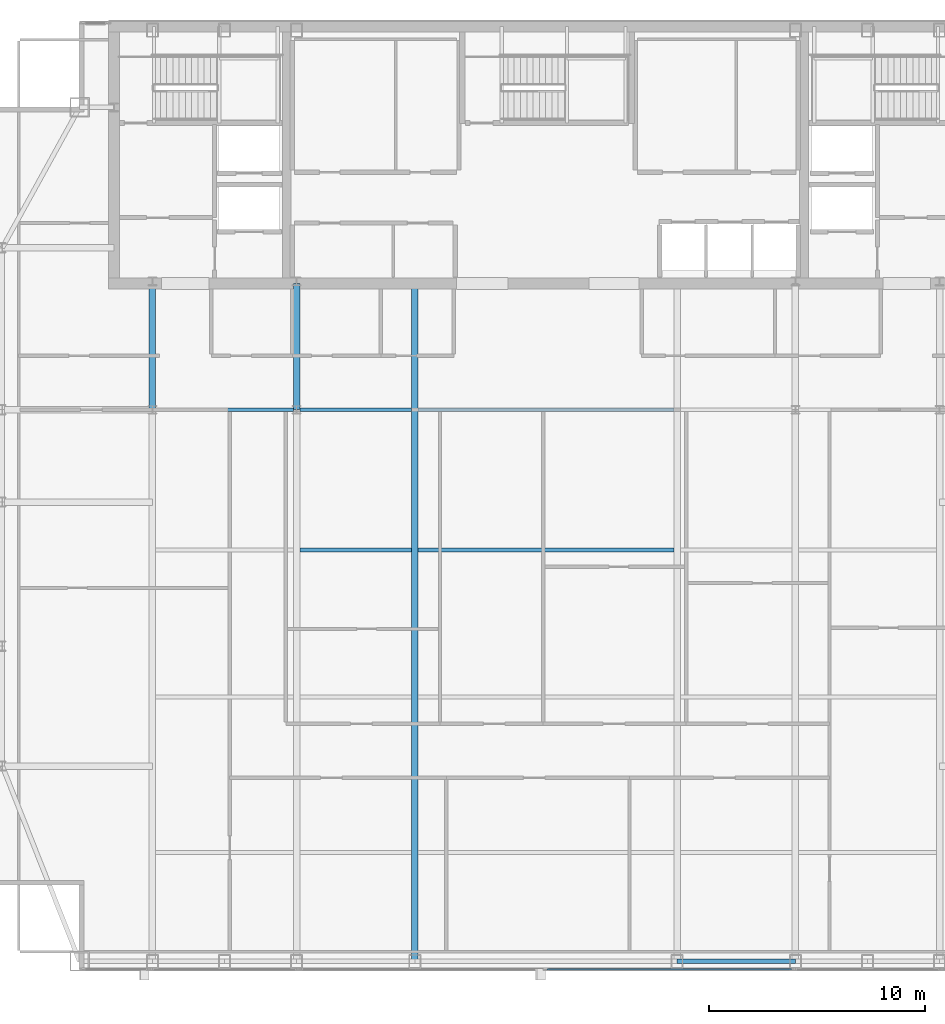
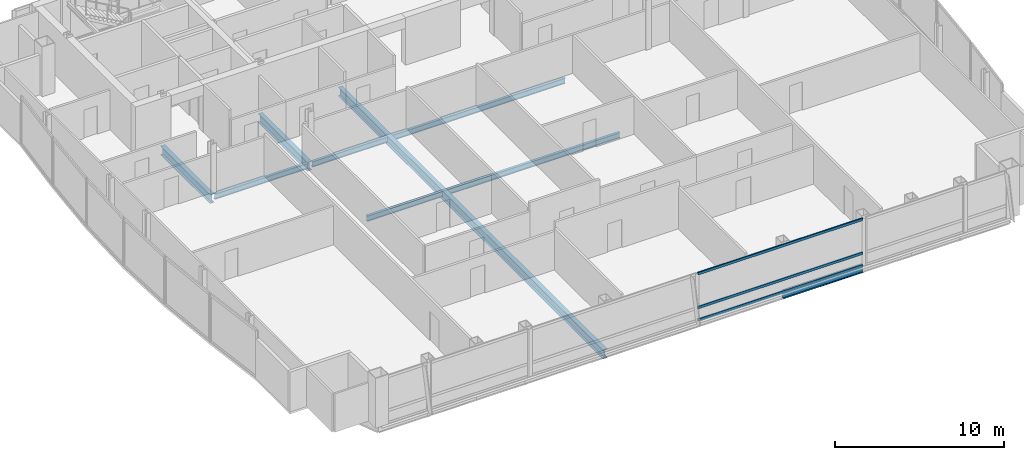
# One storey, part 10 of 25: 9 beams, 3 members, 1 element without a shape of its own.
"""IFC4 building model written with IfcOpenShell, lengths in metres."""

from ifc_helpers import new_model, si_unit, direction, frame, origin, origin_2d, place, context, subcontext, project, spatial, hollow_rectangle, i_section, extrude, material, material_profile, profile_set, type_object, element, aggregate, save


model = new_model("IFC4")

# Units and contexts
model_context = context("Model", 3, precision=1e-05, world=origin(), true_north=direction((0.0, 1.0)))
body_context = subcontext(model_context, "Body", "Model", "MODEL_VIEW")
ifc_project = project(units=[si_unit("LENGTHUNIT", "METRE"), si_unit("AREAUNIT", "SQUARE_METRE"), si_unit("VOLUMEUNIT", "CUBIC_METRE"), si_unit("PLANEANGLEUNIT", "RADIAN"), si_unit("MASSUNIT", "GRAM", prefix="KILO")], contexts=[model_context])

# Site, building, storey
site_placement = place(None, origin())
site = spatial("IfcSite", under=ifc_project, at=site_placement, CompositionType="ELEMENT")
building_placement = place(site_placement, origin())
building = spatial("IfcBuilding", under=site, at=building_placement, Name="Khoronbel Lancet Exchange", CompositionType="ELEMENT")
storey_placement = place(building_placement, frame((0.0, 0.0, 295.0)))
storey = spatial("IfcBuildingStorey", under=building, at=storey_placement, Name="L76", CompositionType="ELEMENT", Elevation=295.0)

# Beams
ifc_material_1 = material(Name="Steel S355", Category="steel")
ifc_material_profile_1 = material_profile(ifc_material_1, i_section(OverallWidth=0.300048828125, OverallDepth=0.64990234375, WebThickness=0.01611328125, FlangeThickness=0.031005859375, at=origin_2d()), Name="HEB 650")
ifc_profile_set_1 = profile_set([ifc_material_profile_1], Name="Steel S355")
beam_type_1 = type_object("IfcBeamType", Name="BM-BG4", PredefinedType="BEAM", material=ifc_profile_set_1)
for number, where, z_axis, x_axis, name in (
    (1, (18.22509765625, 35.699951171875, -0.485107421875), (0.0, 1.0, 0.0), (-1.0, 0.0, 0.0), "Level L76 spine tie girder GN1"),
    (2, (24.89990234375, 35.699951171875, -0.485107421875), (0.0, 1.0, 0.0), (-1.0, 0.0, 0.0), "Level L76 spine tie girder GN2"),
):
    element("IfcBeam", number, at=place(storey_placement, frame(where, z_axis=z_axis, x_axis=x_axis)), inside=storey, type_object=beam_type_1, Name=name, PredefinedType="BEAM", context=body_context, shape_type="SweptSolid", body=[
        extrude(i_section(OverallWidth=0.300048828125, OverallDepth=0.64990234375, WebThickness=0.01611328125, FlangeThickness=0.031005859375, at=origin_2d()), origin(), (0.0, 0.0, 1.0), 5.85009765625),
    ])
beam_1_placement = place(storey_placement, frame((30.375, 10.14990234375, -0.485107421875), z_axis=(0.0, 1.0, 0.0), x_axis=(-1.0, 0.0, 0.0)))
element("IfcBeam", 3, at=beam_1_placement, inside=storey, type_object=beam_type_1, Name="Level L76 primary floor girder G3", PredefinedType="BEAM", context=body_context, shape_type="SweptSolid", body=[
    extrude(i_section(OverallWidth=0.300048828125, OverallDepth=0.64990234375, WebThickness=0.01611328125, FlangeThickness=0.031005859375, at=origin_2d()), origin(), (0.0, 0.0, 1.0), 31.400146484375),
])
ifc_material_profile_2 = material_profile(ifc_material_1, i_section(OverallWidth=0.179931640625, OverallDepth=0.39990234375, WebThickness=0.008544921875, FlangeThickness=0.013427734375, at=origin_2d()), Name="IPE 400")
ifc_profile_set_2 = profile_set([ifc_material_profile_2], Name="Steel S355")
beam_type_2 = type_object("IfcBeamType", Name="BM-BJ5", PredefinedType="JOIST", material=ifc_profile_set_2)
beam_2_placement = place(storey_placement, frame((25.050048828125, 29.199951171875, -0.360107421875), z_axis=(1.0, 0.0, 0.0), x_axis=(0.0, 1.0, 0.0)))
element("IfcBeam", 4, at=beam_2_placement, inside=storey, type_object=beam_type_2, Name="Level L76 secondary composite joist J12", PredefinedType="JOIST", context=body_context, shape_type="SweptSolid", body=[
    extrude(i_section(OverallWidth=0.179931640625, OverallDepth=0.39990234375, WebThickness=0.008544921875, FlangeThickness=0.013427734375, at=origin_2d()), origin(), (0.0, 0.0, 1.0), 5.175048828125),
])
beam_3_placement = place(storey_placement, frame((30.52490234375, 29.199951171875, -0.360107421875), z_axis=(1.0, 0.0, 0.0), x_axis=(0.0, 1.0, 0.0)))
element("IfcBeam", 5, at=beam_3_placement, inside=storey, type_object=beam_type_2, Name="Level L76 secondary composite joist J13", PredefinedType="JOIST", context=body_context, shape_type="SweptSolid", body=[
    extrude(i_section(OverallWidth=0.179931640625, OverallDepth=0.39990234375, WebThickness=0.008544921875, FlangeThickness=0.013427734375, at=origin_2d()), origin(), (0.0, 0.0, 1.0), 11.85009765625),
])
beam_4_placement = place(storey_placement, frame((18.375, 35.699951171875, -0.360107421875), z_axis=(1.0, 0.0, 0.0), x_axis=(0.0, 1.0, 0.0)))
element("IfcBeam", 6, at=beam_4_placement, inside=storey, type_object=beam_type_2, Name="Level L76 secondary composite joist J16", PredefinedType="JOIST", context=body_context, shape_type="SweptSolid", body=[
    extrude(i_section(OverallWidth=0.179931640625, OverallDepth=0.39990234375, WebThickness=0.008544921875, FlangeThickness=0.013427734375, at=origin_2d()), origin(), (0.0, 0.0, 1.0), 6.375),
])
beam_5_placement = place(storey_placement, frame((25.050048828125, 35.699951171875, -0.360107421875), z_axis=(1.0, 0.0, 0.0), x_axis=(0.0, 1.0, 0.0)))
element("IfcBeam", 7, at=beam_5_placement, inside=storey, type_object=beam_type_2, Name="Level L76 secondary composite joist J17", PredefinedType="JOIST", context=body_context, shape_type="SweptSolid", body=[
    extrude(i_section(OverallWidth=0.179931640625, OverallDepth=0.39990234375, WebThickness=0.008544921875, FlangeThickness=0.013427734375, at=origin_2d()), origin(), (0.0, 0.0, 1.0), 5.175048828125),
])
beam_6_placement = place(storey_placement, frame((30.52490234375, 35.699951171875, -0.360107421875), z_axis=(1.0, 0.0, 0.0), x_axis=(0.0, 1.0, 0.0)))
element("IfcBeam", 8, at=beam_6_placement, inside=storey, type_object=beam_type_2, Name="Level L76 secondary composite joist J18", PredefinedType="JOIST", context=body_context, shape_type="SweptSolid", body=[
    extrude(i_section(OverallWidth=0.179931640625, OverallDepth=0.39990234375, WebThickness=0.008544921875, FlangeThickness=0.013427734375, at=origin_2d()), origin(), (0.0, 0.0, 1.0), 11.85009765625),
])
ifc_material_profile_3 = material_profile(ifc_material_1, i_section(OverallWidth=0.2099609375, OverallDepth=0.550048828125, WebThickness=0.010986328125, FlangeThickness=0.01708984375, at=origin_2d()), Name="IPE 550")
ifc_profile_set_3 = profile_set([ifc_material_profile_3], Name="Steel S355")
beam_type_3 = type_object("IfcBeamType", Name="BM-BSP3", PredefinedType="SPANDREL", material=ifc_profile_set_3)
beam_7_placement = place(storey_placement, frame((42.52490234375, 10.14990234375, -0.43505859375), z_axis=(1.0, 0.0, 0.0), x_axis=(0.0, 1.0, 0.0)))
element("IfcBeam", 9, at=beam_7_placement, inside=storey, type_object=beam_type_3, Name="Level L76 perimeter spandrel beam SP06", PredefinedType="SPANDREL", context=body_context, shape_type="SweptSolid", body=[
    extrude(i_section(OverallWidth=0.2099609375, OverallDepth=0.550048828125, WebThickness=0.010986328125, FlangeThickness=0.01708984375, at=origin_2d()), origin(), (0.0, 0.0, 1.0), 5.47509765625),
])

# Curtain wall, members
ifc_material_2 = material(Name="Low-E Solar Control Insulating Glass", Category="glass")
curtain_wall_type = type_object("IfcCurtainWallType", Name="CW-3", PredefinedType="NOTDEFINED", material=ifc_material_2)
curtain_wall_placement = place(storey_placement, origin())
curtain_wall = element("IfcCurtainWall", 10, at=curtain_wall_placement, inside=storey, type_object=curtain_wall_type, Name="Unitised curtain wall CW-L76-SCV", PredefinedType="NOTDEFINED")
ifc_material_3 = material(Name="Bronze-Anodised Aluminium 6063-T6", Category="aluminium")
ifc_material_profile_4 = material_profile(ifc_material_3, hollow_rectangle(XDim=0.0849609375, YDim=0.179931640625, WallThickness=0.0048828125, at=origin_2d()), Name="ALU TRANSOM 85x180")
ifc_profile_set_4 = profile_set([ifc_material_profile_4], Name="Bronze-Anodised Aluminium 6063-T6")
member_type = type_object("IfcMemberType", Name="MEM-CWT1", PredefinedType="USERDEFINED", material=ifc_profile_set_4)
member_1_placement = place(storey_placement, frame((36.492431640625, 9.7900390625, 0.04248046875), z_axis=(1.0, 0.0, 0.0), x_axis=(0.0, 1.0, 0.0)))
member_1 = element("IfcMember", 11, at=member_1_placement, type_object=member_type, Name="CW3 transom 2.1", ObjectType="TRANSOM", PredefinedType="USERDEFINED", context=body_context, shape_type="SweptSolid", body=[
    extrude(hollow_rectangle(XDim=0.0849609375, YDim=0.179931640625, WallThickness=0.0048828125, at=origin_2d()), origin(), (0.0, 0.0, 1.0), 11.322509765625),
])
member_2_placement = place(storey_placement, frame((36.492431640625, 9.7900390625, 0.949951171875), z_axis=(1.0, 0.0, 0.0), x_axis=(0.0, 1.0, 0.0)))
member_2 = element("IfcMember", 12, at=member_2_placement, type_object=member_type, Name="CW3 transom 2.2", ObjectType="TRANSOM", PredefinedType="USERDEFINED", context=body_context, shape_type="SweptSolid", body=[
    extrude(hollow_rectangle(XDim=0.0849609375, YDim=0.179931640625, WallThickness=0.0048828125, at=origin_2d()), origin(), (0.0, 0.0, 1.0), 11.322509765625),
])
member_3_placement = place(storey_placement, frame((36.492431640625, 9.7900390625, 3.3974609375), z_axis=(1.0, 0.0, 0.0), x_axis=(0.0, 1.0, 0.0)))
member_3 = element("IfcMember", 13, at=member_3_placement, type_object=member_type, Name="CW3 transom 2.3", ObjectType="TRANSOM", PredefinedType="USERDEFINED", context=body_context, shape_type="SweptSolid", body=[
    extrude(hollow_rectangle(XDim=0.0849609375, YDim=0.179931640625, WallThickness=0.0048828125, at=origin_2d()), origin(), (0.0, 0.0, 1.0), 11.322509765625),
])
aggregate(curtain_wall, [member_1, member_2, member_3])

save(model, "model.ifc")
